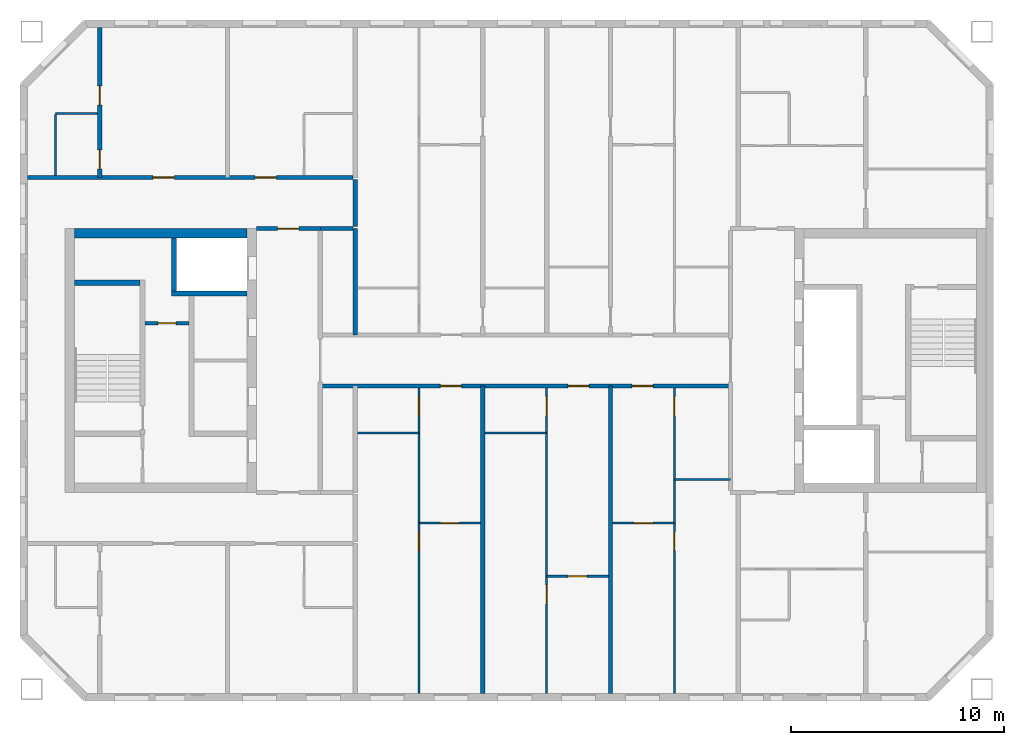
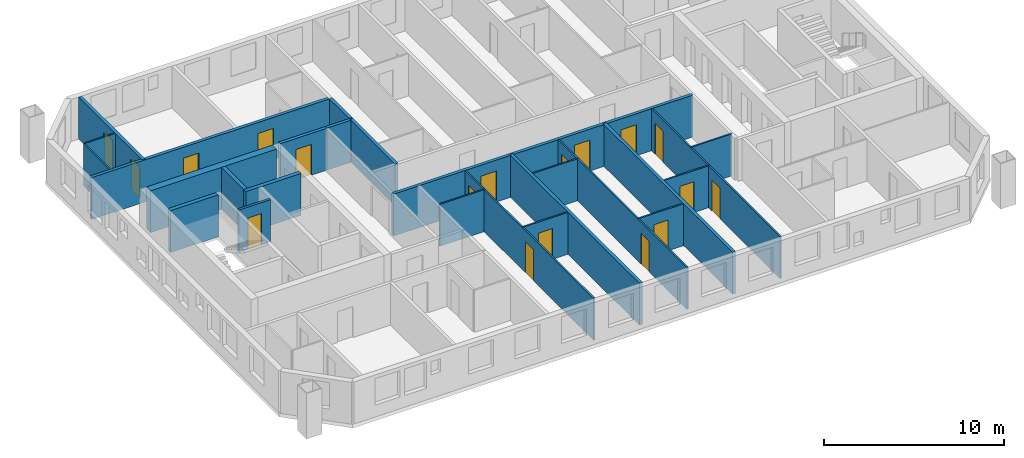
# One storey, part 4 of 16: 25 walls, 18 doors, 18 openings.
"""IFC4 building model written with IfcOpenShell, lengths in metres."""

from ifc_helpers import new_model, si_unit, direction, frame, frame_2d, origin, place, context, subcontext, project, spatial, rectangle, extrude, material, layer, layer_set, type_object, element, fill, save


model = new_model("IFC4")

# Units and contexts
model_context = context("Model", 3, precision=1e-05, world=origin(), true_north=direction((0.0, 1.0)))
body_context = subcontext(model_context, "Body", "Model", "MODEL_VIEW")
ifc_project = project(units=[si_unit("LENGTHUNIT", "METRE"), si_unit("AREAUNIT", "SQUARE_METRE"), si_unit("VOLUMEUNIT", "CUBIC_METRE"), si_unit("PLANEANGLEUNIT", "RADIAN"), si_unit("MASSUNIT", "GRAM", prefix="KILO")], contexts=[model_context])

# Site, building, storey
site_placement = place(None, origin())
site = spatial("IfcSite", under=ifc_project, at=site_placement, CompositionType="ELEMENT")
building_placement = place(site_placement, origin())
building = spatial("IfcBuilding", under=site, at=building_placement, Name="Tuart Gate Housing", CompositionType="ELEMENT")
storey_placement = place(building_placement, frame((0.0, 0.0, 178.89990234375)))
storey = spatial("IfcBuildingStorey", under=building, at=storey_placement, Name="L50", CompositionType="ELEMENT", Elevation=178.89990234375)

# Wall, opening, door
ifc_material_1 = material(Name="Plasterboard partition")
ifc_layer_1 = layer(ifc_material_1, 0.14990234375)
ifc_layer_set_1 = layer_set([ifc_layer_1], Name="Core partition 150")
wall_type_1 = type_object("IfcWallType", Name="Core partition 150", PredefinedType="PARTITIONING", material=ifc_layer_set_1)
wall_1_placement = place(storey_placement, frame((38.18505859375, 71.75, 0.0), z_axis=(0.0, 0.0, 1.0), x_axis=(-1.0, 0.0, 0.0)))
wall_1 = element("IfcWall", 1, at=wall_1_placement, inside=storey, type_object=wall_type_1, Name="Core partition AK.3", PredefinedType="PARTITIONING", context=body_context, shape_type="SweptSolid", body=[
    extrude(rectangle(XDim=2.050048828125, YDim=0.14990234375, at=frame_2d((1.02490234375, 0.0))), origin(), (0.0, 0.0, 1.0), 2.85009765625),
])
opening_1_placement = place(wall_1_placement, frame((0.60009765625, 0.0, 0.0)))
opening_1 = element("IfcOpeningElement", 2, at=opening_1_placement, cuts=wall_1, Name="Opening D1755", PredefinedType="OPENING", context=body_context, shape_type="SweptSolid", body=[
    extrude(rectangle(XDim=0.85009765625, YDim=2.10009765625, at=frame_2d((0.425048828125, 1.050048828125))), frame((0.0, 0.0849609375, 0.0), z_axis=(0.0, -1.0, 0.0), x_axis=(1.0, 0.0, 0.0)), (0.0, 0.0, 1.0), 0.169921875),
])
ifc_material_2 = material(Name="Steel fire door", Category="steel")
door_type_1 = type_object("IfcDoorType", Name="Riser door 850 x 2100 RH", OperationType="SINGLE_SWING_RIGHT", PredefinedType="DOOR", material=ifc_material_2)
door_1_placement = place(opening_1_placement, frame((0.85009765625, 0.0, 0.0), z_axis=(0.0, 0.0, 1.0), x_axis=(-1.0, 0.0, 0.0)))
door_1 = element("IfcDoor", 3, at=door_1_placement, inside=storey, type_object=door_type_1, Name="Service room door AK.E1", OperationType="SINGLE_SWING_RIGHT", OverallHeight=2.10009765625, OverallWidth=0.85009765625, PredefinedType="DOOR", context=body_context, shape_type="SweptSolid", body=[
    extrude(rectangle(XDim=0.85009765625, YDim=2.10009765625, at=frame_2d((0.425048828125, 1.050048828125))), frame((0.0, 0.025146484375, 0.0), z_axis=(0.0, -1.0, 0.0), x_axis=(1.0, 0.0, 0.0)), (0.0, 0.0, 1.0), 0.050048828125),
])
fill(opening_1, door_1)

# Walls
ifc_material_3 = material(Name="Concrete C40", Category="concrete")
ifc_layer_2 = layer(ifc_material_3, 0.25)
ifc_layer_set_2 = layer_set([ifc_layer_2], Name="Core wall 250 C40")
wall_type_2 = type_object("IfcWallType", Name="Core wall 250 C40", PredefinedType="SHEAR", material=ifc_layer_set_2)
wall_2_placement = place(storey_placement, frame((35.885009765625, 73.64990234375, 0.0), z_axis=(0.0, 0.0, 1.0), x_axis=(-1.0, 0.0, 0.0)))
element("IfcWall", 4, at=wall_2_placement, inside=storey, type_object=wall_type_2, Name="Core wall AK.1", PredefinedType="SHEAR", context=body_context, shape_type="SweptSolid", body=[
    extrude(rectangle(XDim=3.074951171875, YDim=0.25, at=frame_2d((1.53759765625, 0.0))), origin(), (0.0, 0.0, 1.0), 2.85009765625),
])
wall_3_placement = place(storey_placement, frame((40.909912109375, 73.14990234375, 0.0), z_axis=(0.0, 0.0, 1.0), x_axis=(-1.0, 0.0, 0.0)))
element("IfcWall", 5, at=wall_3_placement, inside=storey, type_object=wall_type_2, Name="Core wall AK.2", PredefinedType="SHEAR", context=body_context, shape_type="SweptSolid", body=[
    extrude(rectangle(XDim=3.544921875, YDim=0.25, at=frame_2d((1.7724609375, 0.0))), origin(), (0.0, 0.0, 1.0), 2.85009765625),
])
wall_4_placement = place(storey_placement, frame((37.489990234375, 75.75, 0.0), z_axis=(0.0, 0.0, 1.0), x_axis=(0.0, -1.0, 0.0)))
element("IfcWall", 6, at=wall_4_placement, inside=storey, type_object=wall_type_2, Name="Core wall AK.8", PredefinedType="SHEAR", context=body_context, shape_type="SweptSolid", body=[
    extrude(rectangle(XDim=2.47509765625, YDim=0.25, at=frame_2d((1.237548828125, 0.0))), origin(), (0.0, 0.0, 1.0), 2.85009765625),
])
ifc_material_4 = material(Name="Concrete C40", Category="concrete")
ifc_layer_3 = layer(ifc_material_4, 0.449951171875)
ifc_layer_set_3 = layer_set([ifc_layer_3], Name="Core wall 450 C40")
wall_type_3 = type_object("IfcWallType", Name="Core wall 450 C40", PredefinedType="SHEAR", material=ifc_layer_set_3)
wall_5_placement = place(storey_placement, frame((40.909912109375, 75.97509765625, 0.0), z_axis=(0.0, 0.0, 1.0), x_axis=(-1.0, 0.0, 0.0)))
element("IfcWall", 7, at=wall_5_placement, inside=storey, type_object=wall_type_3, Name="Core wall AK south", PredefinedType="SHEAR", context=body_context, shape_type="SweptSolid", body=[
    extrude(rectangle(XDim=8.099853515625, YDim=0.449951171875, at=frame_2d((4.0498046875, 0.0))), origin(), (0.0, 0.0, 1.0), 2.85009765625),
])

# Wall, openings, doors
ifc_material_5 = material(Name="Concrete masonry 15 MPa", Category="masonry")
ifc_layer_4 = layer(ifc_material_5, 0.199951171875)
ifc_layer_set_4 = layer_set([ifc_layer_4], Name="Corridor wall masonry 200")
wall_type_4 = type_object("IfcWallType", Name="Corridor wall masonry 200", PredefinedType="PARTITIONING", material=ifc_layer_set_4)
wall_6_placement = place(storey_placement, frame((44.360107421875, 68.800048828125, 0.0), z_axis=(0.0, 0.0, 1.0), x_axis=(1.0, 0.0, 0.0)))
wall_6 = element("IfcWall", 8, at=wall_6_placement, inside=storey, type_object=wall_type_4, Name="Corridor wall masonry 200", PredefinedType="PARTITIONING", context=body_context, shape_type="SweptSolid", body=[
    extrude(rectangle(XDim=19.27978515625, YDim=0.199951171875, at=frame_2d((9.639892578125, 0.0))), origin(), (0.0, 0.0, 1.0), 2.85009765625),
])
opening_2_placement = place(wall_6_placement, frame((14.639892578125, 0.0, 0.0)))
opening_2 = element("IfcOpeningElement", 9, at=opening_2_placement, cuts=wall_6, Name="Opening D1765", PredefinedType="OPENING", context=body_context, shape_type="SweptSolid", body=[
    extrude(rectangle(XDim=1.0, YDim=2.10009765625, at=frame_2d((0.5, 1.050048828125))), frame((0.0, 0.10986328125, 0.0), z_axis=(0.0, -1.0, 0.0), x_axis=(1.0, 0.0, 0.0)), (0.0, 0.0, 1.0), 0.219970703125),
])
opening_3_placement = place(wall_6_placement, frame((11.639892578125, 0.0, 0.0)))
opening_3 = element("IfcOpeningElement", 10, at=opening_3_placement, cuts=wall_6, Name="Opening D1766", PredefinedType="OPENING", context=body_context, shape_type="SweptSolid", body=[
    extrude(rectangle(XDim=1.0, YDim=2.10009765625, at=frame_2d((0.5, 1.050048828125))), frame((0.0, 0.10986328125, 0.0), z_axis=(0.0, -1.0, 0.0), x_axis=(1.0, 0.0, 0.0)), (0.0, 0.0, 1.0), 0.219970703125),
])
opening_4_placement = place(wall_6_placement, frame((5.639892578125, 0.0, 0.0)))
opening_4 = element("IfcOpeningElement", 11, at=opening_4_placement, cuts=wall_6, Name="Opening D1767", PredefinedType="OPENING", context=body_context, shape_type="SweptSolid", body=[
    extrude(rectangle(XDim=1.0, YDim=2.10009765625, at=frame_2d((0.5, 1.050048828125))), frame((0.0, 0.10986328125, 0.0), z_axis=(0.0, -1.0, 0.0), x_axis=(1.0, 0.0, 0.0)), (0.0, 0.0, 1.0), 0.219970703125),
])
ifc_material_6 = material(Name="Timber door leaf in steel frame", Category="steel")
door_type_2 = type_object("IfcDoorType", Name="Flat entrance door 1000 RH", OperationType="SINGLE_SWING_RIGHT", PredefinedType="DOOR", material=ifc_material_6)
door_2_placement = place(opening_2_placement, frame((1.0, 0.0, 0.0), z_axis=(0.0, 0.0, 1.0), x_axis=(-1.0, 0.0, 0.0)))
door_2 = element("IfcDoor", 12, at=door_2_placement, inside=storey, type_object=door_type_2, Name="Flat entrance door", OperationType="SINGLE_SWING_RIGHT", OverallHeight=2.10009765625, OverallWidth=1.0, PredefinedType="DOOR", context=body_context, shape_type="SweptSolid", body=[
    extrude(rectangle(XDim=1.0, YDim=2.10009765625, at=frame_2d((0.5, 1.050048828125))), frame((0.0, 0.025146484375, 0.0), z_axis=(0.0, -1.0, 0.0), x_axis=(1.0, 0.0, 0.0)), (0.0, 0.0, 1.0), 0.050048828125),
])
fill(opening_2, door_2)
door_3_placement = place(opening_3_placement, frame((1.0, 0.0, 0.0), z_axis=(0.0, 0.0, 1.0), x_axis=(-1.0, 0.0, 0.0)))
door_3 = element("IfcDoor", 13, at=door_3_placement, inside=storey, type_object=door_type_2, Name="Flat entrance door", OperationType="SINGLE_SWING_RIGHT", OverallHeight=2.10009765625, OverallWidth=1.0, PredefinedType="DOOR", context=body_context, shape_type="SweptSolid", body=[
    extrude(rectangle(XDim=1.0, YDim=2.10009765625, at=frame_2d((0.5, 1.050048828125))), frame((0.0, 0.025146484375, 0.0), z_axis=(0.0, -1.0, 0.0), x_axis=(1.0, 0.0, 0.0)), (0.0, 0.0, 1.0), 0.050048828125),
])
fill(opening_3, door_3)
door_4_placement = place(opening_4_placement, frame((1.0, 0.0, 0.0), z_axis=(0.0, 0.0, 1.0), x_axis=(-1.0, 0.0, 0.0)))
door_4 = element("IfcDoor", 14, at=door_4_placement, inside=storey, type_object=door_type_2, Name="Flat entrance door", OperationType="SINGLE_SWING_RIGHT", OverallHeight=2.10009765625, OverallWidth=1.0, PredefinedType="DOOR", context=body_context, shape_type="SweptSolid", body=[
    extrude(rectangle(XDim=1.0, YDim=2.10009765625, at=frame_2d((0.5, 1.050048828125))), frame((0.0, 0.025146484375, 0.0), z_axis=(0.0, -1.0, 0.0), x_axis=(1.0, 0.0, 0.0)), (0.0, 0.0, 1.0), 0.050048828125),
])
fill(opening_4, door_4)

# Wall
wall_7_placement = place(storey_placement, frame((44.360107421875, 76.199951171875, 0.0), z_axis=(0.0, 0.0, 1.0), x_axis=(1.0, 0.0, 0.0)))
element("IfcWall", 15, at=wall_7_placement, inside=storey, type_object=wall_type_4, Name="Corridor wall masonry 200", PredefinedType="PARTITIONING", context=body_context, shape_type="SweptSolid", body=[
    extrude(rectangle(XDim=1.539794921875, YDim=0.199951171875, at=frame_2d((0.77001953125, 0.0))), origin(), (0.0, 0.0, 1.0), 2.85009765625),
])

# Wall, openings, doors
wall_8_placement = place(storey_placement, frame((30.610107421875, 78.60009765625, 0.0), z_axis=(0.0, 0.0, 1.0), x_axis=(1.0, 0.0, 0.0)))
wall_8 = element("IfcWall", 16, at=wall_8_placement, inside=storey, type_object=wall_type_4, Name="Corridor wall masonry 200", PredefinedType="PARTITIONING", context=body_context, shape_type="SweptSolid", body=[
    extrude(rectangle(XDim=15.289794921875, YDim=0.199951171875, at=frame_2d((7.64501953125, 0.0))), origin(), (0.0, 0.0, 1.0), 2.85009765625),
])
opening_5_placement = place(wall_8_placement, frame((10.68994140625, 0.0, 0.0)))
opening_5 = element("IfcOpeningElement", 17, at=opening_5_placement, cuts=wall_8, Name="Opening D1742", PredefinedType="OPENING", context=body_context, shape_type="SweptSolid", body=[
    extrude(rectangle(XDim=1.0, YDim=2.10009765625, at=frame_2d((0.5, 1.050048828125))), frame((0.0, 0.10986328125, 0.0), z_axis=(0.0, -1.0, 0.0), x_axis=(1.0, 0.0, 0.0)), (0.0, 0.0, 1.0), 0.219970703125),
])
opening_6_placement = place(wall_8_placement, frame((5.889892578125, 0.0, 0.0)))
opening_6 = element("IfcOpeningElement", 18, at=opening_6_placement, cuts=wall_8, Name="Opening D1743", PredefinedType="OPENING", context=body_context, shape_type="SweptSolid", body=[
    extrude(rectangle(XDim=1.0, YDim=2.10009765625, at=frame_2d((0.5, 1.050048828125))), frame((0.0, 0.10986328125, 0.0), z_axis=(0.0, -1.0, 0.0), x_axis=(1.0, 0.0, 0.0)), (0.0, 0.0, 1.0), 0.219970703125),
])
ifc_material_7 = material(Name="Timber door leaf in steel frame", Category="steel")
door_type_3 = type_object("IfcDoorType", Name="Flat entrance door 1000", OperationType="SINGLE_SWING_LEFT", PredefinedType="DOOR", material=ifc_material_7)
door_5_placement = place(opening_5_placement, origin())
door_5 = element("IfcDoor", 19, at=door_5_placement, inside=storey, type_object=door_type_3, Name="Flat entrance door", OperationType="SINGLE_SWING_LEFT", OverallHeight=2.10009765625, OverallWidth=1.0, PredefinedType="DOOR", context=body_context, shape_type="SweptSolid", body=[
    extrude(rectangle(XDim=1.0, YDim=2.10009765625, at=frame_2d((0.5, 1.050048828125))), frame((0.0, 0.02490234375, 0.0), z_axis=(0.0, -1.0, 0.0), x_axis=(1.0, 0.0, 0.0)), (0.0, 0.0, 1.0), 0.050048828125),
])
fill(opening_5, door_5)
door_6_placement = place(opening_6_placement, origin())
door_6 = element("IfcDoor", 20, at=door_6_placement, inside=storey, type_object=door_type_3, Name="Flat entrance door", OperationType="SINGLE_SWING_LEFT", OverallHeight=2.10009765625, OverallWidth=1.0, PredefinedType="DOOR", context=body_context, shape_type="SweptSolid", body=[
    extrude(rectangle(XDim=1.0, YDim=2.10009765625, at=frame_2d((0.5, 1.050048828125))), frame((0.0, 0.02490234375, 0.0), z_axis=(0.0, -1.0, 0.0), x_axis=(1.0, 0.0, 0.0)), (0.0, 0.0, 1.0), 0.050048828125),
])
fill(opening_6, door_6)

# Wall
wall_9_placement = place(storey_placement, frame((46.0, 76.300048828125, 0.0), z_axis=(0.0, 0.0, 1.0), x_axis=(0.0, 1.0, 0.0)))
element("IfcWall", 21, at=wall_9_placement, inside=storey, type_object=wall_type_4, Name="Corridor wall masonry 200", PredefinedType="PARTITIONING", context=body_context, shape_type="SweptSolid", body=[
    extrude(rectangle(XDim=2.199951171875, YDim=0.199951171875, at=frame_2d((1.10009765625, 0.0))), origin(), (0.0, 0.0, 1.0), 2.85009765625),
])

# Wall, opening, door
ifc_material_8 = material(Name="Concrete masonry 15 MPa", Category="masonry")
ifc_layer_5 = layer(ifc_material_8, 0.199951171875)
ifc_layer_set_5 = layer_set([ifc_layer_5], Name="Enclosure wall masonry 200")
wall_type_5 = type_object("IfcWallType", Name="Enclosure wall masonry 200", PredefinedType="PARTITIONING", material=ifc_layer_set_5)
wall_10_placement = place(storey_placement, frame((41.360107421875, 76.199951171875, 0.0), z_axis=(0.0, 0.0, 1.0), x_axis=(1.0, 0.0, 0.0)))
wall_10 = element("IfcWall", 22, at=wall_10_placement, inside=storey, type_object=wall_type_5, Name="Enclosure wall masonry 200", PredefinedType="PARTITIONING", context=body_context, shape_type="SweptSolid", body=[
    extrude(rectangle(XDim=3.0, YDim=0.199951171875, at=frame_2d((1.5, 0.0))), origin(), (0.0, 0.0, 1.0), 2.85009765625),
])
opening_7_placement = place(wall_10_placement, frame((1.0, 0.0, 0.0)))
opening_7 = element("IfcOpeningElement", 23, at=opening_7_placement, cuts=wall_10, Name="Opening D1752", PredefinedType="OPENING", context=body_context, shape_type="SweptSolid", body=[
    extrude(rectangle(XDim=1.0, YDim=2.10009765625, at=frame_2d((0.5, 1.050048828125))), frame((0.0, 0.10986328125, 0.0), z_axis=(0.0, -1.0, 0.0), x_axis=(1.0, 0.0, 0.0)), (0.0, 0.0, 1.0), 0.219970703125),
])
ifc_material_9 = material(Name="Timber door leaf in steel frame", Category="steel")
door_type_4 = type_object("IfcDoorType", Name="Fire door 1000 RH", OperationType="SINGLE_SWING_RIGHT", PredefinedType="DOOR", material=ifc_material_9)
door_7_placement = place(opening_7_placement, origin())
door_7 = element("IfcDoor", 24, at=door_7_placement, inside=storey, type_object=door_type_4, Name="Fire door", OperationType="SINGLE_SWING_RIGHT", OverallHeight=2.10009765625, OverallWidth=1.0, PredefinedType="DOOR", context=body_context, shape_type="SweptSolid", body=[
    extrude(rectangle(XDim=1.0, YDim=2.10009765625, at=frame_2d((0.5, 1.050048828125))), frame((0.0, 0.02490234375, 0.0), z_axis=(0.0, -1.0, 0.0), x_axis=(1.0, 0.0, 0.0)), (0.0, 0.0, 1.0), 0.050048828125),
])
fill(opening_7, door_7)

ifc_material_10 = material(Name="Gypsum board on steel studs", Category="steel")
ifc_layer_6 = layer(ifc_material_10, 0.10009765625)
ifc_layer_set_6 = layer_set([ifc_layer_6], Name="Partition 100")
wall_type_6 = type_object("IfcWallType", Name="Partition 100", PredefinedType="PARTITIONING", material=ifc_layer_set_6)
wall_11_placement = place(storey_placement, frame((55.0, 59.860107421875, 0.0), z_axis=(0.0, 0.0, 1.0), x_axis=(1.0, 0.0, 0.0)))
wall_11 = element("IfcWall", 25, at=wall_11_placement, inside=storey, type_object=wall_type_6, Name="Partition 100", PredefinedType="PARTITIONING", context=body_context, shape_type="SweptSolid", body=[
    extrude(rectangle(XDim=2.89990234375, YDim=0.10009765625, at=frame_2d((1.449951171875, 0.0))), origin(), (0.0, 0.0, 1.0), 2.85009765625),
])
opening_8_placement = place(wall_11_placement, frame((1.0, 0.0, 0.0)))
opening_8 = element("IfcOpeningElement", 26, at=opening_8_placement, cuts=wall_11, Name="Opening D1786", PredefinedType="OPENING", context=body_context, shape_type="SweptSolid", body=[
    extrude(rectangle(XDim=0.89990234375, YDim=2.10009765625, at=frame_2d((0.449951171875, 1.050048828125))), frame((0.0, 0.06005859375, 0.0), z_axis=(0.0, -1.0, 0.0), x_axis=(1.0, 0.0, 0.0)), (0.0, 0.0, 1.0), 0.1201171875),
])
ifc_material_11 = material(Name="Timber door leaf in steel frame", Category="steel")
door_type_5 = type_object("IfcDoorType", Name="Internal door 900", OperationType="SINGLE_SWING_LEFT", PredefinedType="DOOR", material=ifc_material_11)
door_8_placement = place(opening_8_placement, origin())
door_8 = element("IfcDoor", 27, at=door_8_placement, inside=storey, type_object=door_type_5, Name="Internal door", OperationType="SINGLE_SWING_LEFT", OverallHeight=2.10009765625, OverallWidth=0.89990234375, PredefinedType="DOOR", context=body_context, shape_type="SweptSolid", body=[
    extrude(rectangle(XDim=0.89990234375, YDim=2.10009765625, at=frame_2d((0.449951171875, 1.050048828125))), frame((0.0, 0.02490234375, 0.0), z_axis=(0.0, -1.0, 0.0), x_axis=(1.0, 0.0, 0.0)), (0.0, 0.0, 1.0), 0.050048828125),
])
fill(opening_8, door_8)

wall_12_placement = place(storey_placement, frame((49.0, 62.360107421875, 0.0), z_axis=(0.0, 0.0, 1.0), x_axis=(1.0, 0.0, 0.0)))
wall_12 = element("IfcWall", 28, at=wall_12_placement, inside=storey, type_object=wall_type_6, Name="Partition 100", PredefinedType="PARTITIONING", context=body_context, shape_type="SweptSolid", body=[
    extrude(rectangle(XDim=2.89990234375, YDim=0.10009765625, at=frame_2d((1.449951171875, 0.0))), origin(), (0.0, 0.0, 1.0), 2.85009765625),
])
opening_9_placement = place(wall_12_placement, frame((1.0, 0.0, 0.0)))
opening_9 = element("IfcOpeningElement", 29, at=opening_9_placement, cuts=wall_12, Name="Opening D1773", PredefinedType="OPENING", context=body_context, shape_type="SweptSolid", body=[
    extrude(rectangle(XDim=0.89990234375, YDim=2.10009765625, at=frame_2d((0.449951171875, 1.050048828125))), frame((0.0, 0.06005859375, 0.0), z_axis=(0.0, -1.0, 0.0), x_axis=(1.0, 0.0, 0.0)), (0.0, 0.0, 1.0), 0.1201171875),
])
door_9_placement = place(opening_9_placement, origin())
door_9 = element("IfcDoor", 30, at=door_9_placement, inside=storey, type_object=door_type_5, Name="Internal door", OperationType="SINGLE_SWING_LEFT", OverallHeight=2.10009765625, OverallWidth=0.89990234375, PredefinedType="DOOR", context=body_context, shape_type="SweptSolid", body=[
    extrude(rectangle(XDim=0.89990234375, YDim=2.10009765625, at=frame_2d((0.449951171875, 1.050048828125))), frame((0.0, 0.02490234375, 0.0), z_axis=(0.0, -1.0, 0.0), x_axis=(1.0, 0.0, 0.0)), (0.0, 0.0, 1.0), 0.050048828125),
])
fill(opening_9, door_9)

wall_13_placement = place(storey_placement, frame((58.10009765625, 62.360107421875, 0.0), z_axis=(0.0, 0.0, 1.0), x_axis=(1.0, 0.0, 0.0)))
wall_13 = element("IfcWall", 31, at=wall_13_placement, inside=storey, type_object=wall_type_6, Name="Partition 100", PredefinedType="PARTITIONING", context=body_context, shape_type="SweptSolid", body=[
    extrude(rectangle(XDim=2.89990234375, YDim=0.10009765625, at=frame_2d((1.449951171875, 0.0))), origin(), (0.0, 0.0, 1.0), 2.85009765625),
])
opening_10_placement = place(wall_13_placement, frame((1.0, 0.0, 0.0)))
opening_10 = element("IfcOpeningElement", 32, at=opening_10_placement, cuts=wall_13, Name="Opening D1774", PredefinedType="OPENING", context=body_context, shape_type="SweptSolid", body=[
    extrude(rectangle(XDim=0.89990234375, YDim=2.10009765625, at=frame_2d((0.449951171875, 1.050048828125))), frame((0.0, 0.06005859375, 0.0), z_axis=(0.0, -1.0, 0.0), x_axis=(1.0, 0.0, 0.0)), (0.0, 0.0, 1.0), 0.1201171875),
])
ifc_material_12 = material(Name="Timber door leaf in steel frame", Category="steel")
door_type_6 = type_object("IfcDoorType", Name="Internal door 900 RH", OperationType="SINGLE_SWING_RIGHT", PredefinedType="DOOR", material=ifc_material_12)
door_10_placement = place(opening_10_placement, origin())
door_10 = element("IfcDoor", 33, at=door_10_placement, inside=storey, type_object=door_type_6, Name="Internal door", OperationType="SINGLE_SWING_RIGHT", OverallHeight=2.10009765625, OverallWidth=0.89990234375, PredefinedType="DOOR", context=body_context, shape_type="SweptSolid", body=[
    extrude(rectangle(XDim=0.89990234375, YDim=2.10009765625, at=frame_2d((0.449951171875, 1.050048828125))), frame((0.0, 0.02490234375, 0.0), z_axis=(0.0, -1.0, 0.0), x_axis=(1.0, 0.0, 0.0)), (0.0, 0.0, 1.0), 0.050048828125),
])
fill(opening_10, door_10)

# Walls
wall_14_placement = place(storey_placement, frame((61.0, 64.39990234375, 0.0), z_axis=(0.0, 0.0, 1.0), x_axis=(1.0, 0.0, 0.0)))
element("IfcWall", 34, at=wall_14_placement, inside=storey, type_object=wall_type_6, Name="Partition 100", PredefinedType="PARTITIONING", context=body_context, shape_type="SweptSolid", body=[
    extrude(rectangle(XDim=2.639892578125, YDim=0.10009765625, at=frame_2d((1.31982421875, 0.0))), origin(), (0.0, 0.0, 1.0), 2.85009765625),
])
for number, where, z_axis, x_axis, name in (
    (35, (46.10009765625, 66.60009765625, 0.0), (0.0, 0.0, 1.0), (1.0, 0.0, 0.0), "Partition 100"),
    (36, (52.10009765625, 66.60009765625, 0.0), (0.0, 0.0, 1.0), (1.0, 0.0, 0.0), "Partition 100"),
):
    element("IfcWall", number, at=place(storey_placement, frame(where, z_axis=z_axis, x_axis=x_axis)), inside=storey, type_object=wall_type_6, Name=name, PredefinedType="PARTITIONING", context=body_context, shape_type="SweptSolid", body=[
        extrude(rectangle(XDim=2.89990234375, YDim=0.10009765625, at=frame_2d((1.449951171875, 0.0))), origin(), (0.0, 0.0, 1.0), 2.85009765625),
    ])
wall_15_placement = place(storey_placement, frame((31.909912109375, 81.60009765625, 0.0), z_axis=(0.0, 0.0, 1.0), x_axis=(1.0, 0.0, 0.0)))
element("IfcWall", 37, at=wall_15_placement, inside=storey, type_object=wall_type_6, Name="Partition 100", PredefinedType="PARTITIONING", context=body_context, shape_type="SweptSolid", body=[
    extrude(rectangle(XDim=1.989990234375, YDim=0.10009765625, at=frame_2d((0.9951171875, 0.0))), origin(), (0.0, 0.0, 1.0), 2.85009765625),
])
wall_16_placement = place(storey_placement, frame((31.909912109375, 78.699951171875, 0.0), z_axis=(0.0, 0.0, 1.0), x_axis=(0.0, 1.0, 0.0)))
element("IfcWall", 38, at=wall_16_placement, inside=storey, type_object=wall_type_6, Name="Partition 100", PredefinedType="PARTITIONING", context=body_context, shape_type="SweptSolid", body=[
    extrude(rectangle(XDim=2.85009765625, YDim=0.10009765625, at=frame_2d((1.425048828125, 0.0))), origin(), (0.0, 0.0, 1.0), 2.85009765625),
])

# Wall, openings, doors
wall_17_placement = place(storey_placement, frame((49.0, 54.360107421875, 0.0), z_axis=(0.0, 0.0, 1.0), x_axis=(0.0, 1.0, 0.0)))
wall_17 = element("IfcWall", 39, at=wall_17_placement, inside=storey, type_object=wall_type_6, Name="Partition 100", PredefinedType="PARTITIONING", context=body_context, shape_type="SweptSolid", body=[
    extrude(rectangle(XDim=14.33984375, YDim=0.10009765625, at=frame_2d((7.169921875, 0.0))), origin(), (0.0, 0.0, 1.0), 2.85009765625),
])
opening_11_placement = place(wall_17_placement, frame((6.699951171875, 0.0, 0.0)))
opening_11 = element("IfcOpeningElement", 40, at=opening_11_placement, cuts=wall_17, Name="Opening D1776", PredefinedType="OPENING", context=body_context, shape_type="SweptSolid", body=[
    extrude(rectangle(XDim=0.89990234375, YDim=2.10009765625, at=frame_2d((0.449951171875, 1.050048828125))), frame((0.0, 0.06005859375, 0.0), z_axis=(0.0, -1.0, 0.0), x_axis=(1.0, 0.0, 0.0)), (0.0, 0.0, 1.0), 0.1201171875),
])
opening_12_placement = place(wall_17_placement, frame((13.0400390625, 0.0, 0.0)))
opening_12 = element("IfcOpeningElement", 41, at=opening_12_placement, cuts=wall_17, Name="Opening D1775", PredefinedType="OPENING", context=body_context, shape_type="SweptSolid", body=[
    extrude(rectangle(XDim=0.89990234375, YDim=2.10009765625, at=frame_2d((0.449951171875, 1.050048828125))), frame((0.0, 0.06005859375, 0.0), z_axis=(0.0, -1.0, 0.0), x_axis=(1.0, 0.0, 0.0)), (0.0, 0.0, 1.0), 0.1201171875),
])
ifc_material_13 = material(Name="Timber door leaf in steel frame", Category="steel")
door_type_7 = type_object("IfcDoorType", Name="Bathroom door 900 RH", OperationType="SINGLE_SWING_RIGHT", PredefinedType="DOOR", material=ifc_material_13)
door_11_placement = place(opening_12_placement, origin())
door_11 = element("IfcDoor", 42, at=door_11_placement, inside=storey, type_object=door_type_7, Name="Bathroom door", OperationType="SINGLE_SWING_RIGHT", OverallHeight=2.10009765625, OverallWidth=0.89990234375, PredefinedType="DOOR", context=body_context, shape_type="SweptSolid", body=[
    extrude(rectangle(XDim=0.89990234375, YDim=2.10009765625, at=frame_2d((0.449951171875, 1.050048828125))), frame((0.0, 0.02490234375, 0.0), z_axis=(0.0, -1.0, 0.0), x_axis=(1.0, 0.0, 0.0)), (0.0, 0.0, 1.0), 0.050048828125),
])
fill(opening_12, door_11)
door_12_placement = place(opening_11_placement, origin())
door_12 = element("IfcDoor", 43, at=door_12_placement, inside=storey, type_object=door_type_6, Name="Internal door", OperationType="SINGLE_SWING_RIGHT", OverallHeight=2.10009765625, OverallWidth=0.89990234375, PredefinedType="DOOR", context=body_context, shape_type="SweptSolid", body=[
    extrude(rectangle(XDim=0.89990234375, YDim=2.10009765625, at=frame_2d((0.449951171875, 1.050048828125))), frame((0.0, 0.02490234375, 0.0), z_axis=(0.0, -1.0, 0.0), x_axis=(1.0, 0.0, 0.0)), (0.0, 0.0, 1.0), 0.050048828125),
])
fill(opening_11, door_12)

wall_18_placement = place(storey_placement, frame((55.0, 54.360107421875, 0.0), z_axis=(0.0, 0.0, 1.0), x_axis=(0.0, 1.0, 0.0)))
wall_18 = element("IfcWall", 44, at=wall_18_placement, inside=storey, type_object=wall_type_6, Name="Partition 100", PredefinedType="PARTITIONING", context=body_context, shape_type="SweptSolid", body=[
    extrude(rectangle(XDim=14.33984375, YDim=0.10009765625, at=frame_2d((7.169921875, 0.0))), origin(), (0.0, 0.0, 1.0), 2.85009765625),
])
opening_13_placement = place(wall_18_placement, frame((4.199951171875, 0.0, 0.0)))
opening_13 = element("IfcOpeningElement", 45, at=opening_13_placement, cuts=wall_18, Name="Opening D1778", PredefinedType="OPENING", context=body_context, shape_type="SweptSolid", body=[
    extrude(rectangle(XDim=0.89990234375, YDim=2.10009765625, at=frame_2d((0.449951171875, 1.050048828125))), frame((0.0, 0.06005859375, 0.0), z_axis=(0.0, -1.0, 0.0), x_axis=(1.0, 0.0, 0.0)), (0.0, 0.0, 1.0), 0.1201171875),
])
opening_14_placement = place(wall_18_placement, frame((13.0400390625, 0.0, 0.0)))
opening_14 = element("IfcOpeningElement", 46, at=opening_14_placement, cuts=wall_18, Name="Opening D1777", PredefinedType="OPENING", context=body_context, shape_type="SweptSolid", body=[
    extrude(rectangle(XDim=0.89990234375, YDim=2.10009765625, at=frame_2d((0.449951171875, 1.050048828125))), frame((0.0, 0.06005859375, 0.0), z_axis=(0.0, -1.0, 0.0), x_axis=(1.0, 0.0, 0.0)), (0.0, 0.0, 1.0), 0.1201171875),
])
door_13_placement = place(opening_14_placement, origin())
door_13 = element("IfcDoor", 47, at=door_13_placement, inside=storey, type_object=door_type_7, Name="Bathroom door", OperationType="SINGLE_SWING_RIGHT", OverallHeight=2.10009765625, OverallWidth=0.89990234375, PredefinedType="DOOR", context=body_context, shape_type="SweptSolid", body=[
    extrude(rectangle(XDim=0.89990234375, YDim=2.10009765625, at=frame_2d((0.449951171875, 1.050048828125))), frame((0.0, 0.02490234375, 0.0), z_axis=(0.0, -1.0, 0.0), x_axis=(1.0, 0.0, 0.0)), (0.0, 0.0, 1.0), 0.050048828125),
])
fill(opening_14, door_13)
door_14_placement = place(opening_13_placement, origin())
door_14 = element("IfcDoor", 48, at=door_14_placement, inside=storey, type_object=door_type_5, Name="Internal door", OperationType="SINGLE_SWING_LEFT", OverallHeight=2.10009765625, OverallWidth=0.89990234375, PredefinedType="DOOR", context=body_context, shape_type="SweptSolid", body=[
    extrude(rectangle(XDim=0.89990234375, YDim=2.10009765625, at=frame_2d((0.449951171875, 1.050048828125))), frame((0.0, 0.02490234375, 0.0), z_axis=(0.0, -1.0, 0.0), x_axis=(1.0, 0.0, 0.0)), (0.0, 0.0, 1.0), 0.050048828125),
])
fill(opening_13, door_14)

wall_19_placement = place(storey_placement, frame((61.0, 54.360107421875, 0.0), z_axis=(0.0, 0.0, 1.0), x_axis=(0.0, 1.0, 0.0)))
wall_19 = element("IfcWall", 49, at=wall_19_placement, inside=storey, type_object=wall_type_6, Name="Partition 100", PredefinedType="PARTITIONING", context=body_context, shape_type="SweptSolid", body=[
    extrude(rectangle(XDim=14.33984375, YDim=0.10009765625, at=frame_2d((7.169921875, 0.0))), origin(), (0.0, 0.0, 1.0), 2.85009765625),
])
opening_15_placement = place(wall_19_placement, frame((6.699951171875, 0.0, 0.0)))
opening_15 = element("IfcOpeningElement", 50, at=opening_15_placement, cuts=wall_19, Name="Opening D1780", PredefinedType="OPENING", context=body_context, shape_type="SweptSolid", body=[
    extrude(rectangle(XDim=0.89990234375, YDim=2.10009765625, at=frame_2d((0.449951171875, 1.050048828125))), frame((0.0, 0.06005859375, 0.0), z_axis=(0.0, -1.0, 0.0), x_axis=(1.0, 0.0, 0.0)), (0.0, 0.0, 1.0), 0.1201171875),
])
opening_16_placement = place(wall_19_placement, frame((13.0400390625, 0.0, 0.0)))
opening_16 = element("IfcOpeningElement", 51, at=opening_16_placement, cuts=wall_19, Name="Opening D1779", PredefinedType="OPENING", context=body_context, shape_type="SweptSolid", body=[
    extrude(rectangle(XDim=0.89990234375, YDim=2.10009765625, at=frame_2d((0.449951171875, 1.050048828125))), frame((0.0, 0.06005859375, 0.0), z_axis=(0.0, -1.0, 0.0), x_axis=(1.0, 0.0, 0.0)), (0.0, 0.0, 1.0), 0.1201171875),
])
ifc_material_14 = material(Name="Timber door leaf in steel frame", Category="steel")
door_type_8 = type_object("IfcDoorType", Name="Bathroom door 900", OperationType="SINGLE_SWING_LEFT", PredefinedType="DOOR", material=ifc_material_14)
door_15_placement = place(opening_16_placement, frame((0.89990234375, 0.0, 0.0), z_axis=(0.0, 0.0, 1.0), x_axis=(-1.0, 0.0, 0.0)))
door_15 = element("IfcDoor", 52, at=door_15_placement, inside=storey, type_object=door_type_8, Name="Bathroom door", OperationType="SINGLE_SWING_LEFT", OverallHeight=2.10009765625, OverallWidth=0.89990234375, PredefinedType="DOOR", context=body_context, shape_type="SweptSolid", body=[
    extrude(rectangle(XDim=0.89990234375, YDim=2.10009765625, at=frame_2d((0.449951171875, 1.050048828125))), frame((0.0, 0.025146484375, 0.0), z_axis=(0.0, -1.0, 0.0), x_axis=(1.0, 0.0, 0.0)), (0.0, 0.0, 1.0), 0.050048828125),
])
fill(opening_16, door_15)
door_16_placement = place(opening_15_placement, frame((0.89990234375, 0.0, 0.0), z_axis=(0.0, 0.0, 1.0), x_axis=(-1.0, 0.0, 0.0)))
door_16 = element("IfcDoor", 53, at=door_16_placement, inside=storey, type_object=door_type_5, Name="Internal door", OperationType="SINGLE_SWING_LEFT", OverallHeight=2.10009765625, OverallWidth=0.89990234375, PredefinedType="DOOR", context=body_context, shape_type="SweptSolid", body=[
    extrude(rectangle(XDim=0.89990234375, YDim=2.10009765625, at=frame_2d((0.449951171875, 1.050048828125))), frame((0.0, 0.025146484375, 0.0), z_axis=(0.0, -1.0, 0.0), x_axis=(1.0, 0.0, 0.0)), (0.0, 0.0, 1.0), 0.050048828125),
])
fill(opening_15, door_16)

ifc_material_15 = material(Name="Concrete C40", Category="concrete")
ifc_layer_7 = layer(ifc_material_15, 0.199951171875)
ifc_layer_set_7 = layer_set([ifc_layer_7], Name="Party wall concrete C40 200")
wall_type_7 = type_object("IfcWallType", Name="Party wall concrete C40 200", PredefinedType="SOLIDWALL", material=ifc_layer_set_7)
wall_20_placement = place(storey_placement, frame((34.0, 78.60009765625, 0.0), z_axis=(0.0, 0.0, 1.0), x_axis=(0.0, 1.0, 0.0)))
wall_20 = element("IfcWall", 54, at=wall_20_placement, inside=storey, type_object=wall_type_7, Name="Party wall concrete C40 200", PredefinedType="SOLIDWALL", context=body_context, shape_type="SweptSolid", body=[
    extrude(rectangle(XDim=7.039794921875, YDim=0.199951171875, at=frame_2d((3.52001953125, 0.0))), origin(), (0.0, 0.0, 1.0), 2.85009765625),
])
opening_17_placement = place(wall_20_placement, frame((3.39990234375, 0.0, 0.0)))
opening_17 = element("IfcOpeningElement", 55, at=opening_17_placement, cuts=wall_20, Name="Opening D1734", PredefinedType="OPENING", context=body_context, shape_type="SweptSolid", body=[
    extrude(rectangle(XDim=0.89990234375, YDim=2.10009765625, at=frame_2d((0.449951171875, 1.050048828125))), frame((0.0, 0.10986328125, 0.0), z_axis=(0.0, -1.0, 0.0), x_axis=(1.0, 0.0, 0.0)), (0.0, 0.0, 1.0), 0.219970703125),
])
opening_18_placement = place(wall_20_placement, frame((0.39990234375, 0.0, 0.0)))
opening_18 = element("IfcOpeningElement", 56, at=opening_18_placement, cuts=wall_20, Name="Opening D1733", PredefinedType="OPENING", context=body_context, shape_type="SweptSolid", body=[
    extrude(rectangle(XDim=0.89990234375, YDim=2.10009765625, at=frame_2d((0.449951171875, 1.050048828125))), frame((0.0, 0.10986328125, 0.0), z_axis=(0.0, -1.0, 0.0), x_axis=(1.0, 0.0, 0.0)), (0.0, 0.0, 1.0), 0.219970703125),
])
door_17_placement = place(opening_18_placement, origin())
door_17 = element("IfcDoor", 57, at=door_17_placement, inside=storey, type_object=door_type_8, Name="Bathroom door", OperationType="SINGLE_SWING_LEFT", OverallHeight=2.10009765625, OverallWidth=0.89990234375, PredefinedType="DOOR", context=body_context, shape_type="SweptSolid", body=[
    extrude(rectangle(XDim=0.89990234375, YDim=2.10009765625, at=frame_2d((0.449951171875, 1.050048828125))), frame((0.0, 0.02490234375, 0.0), z_axis=(0.0, -1.0, 0.0), x_axis=(1.0, 0.0, 0.0)), (0.0, 0.0, 1.0), 0.050048828125),
])
fill(opening_18, door_17)
door_18_placement = place(opening_17_placement, origin())
door_18 = element("IfcDoor", 58, at=door_18_placement, inside=storey, type_object=door_type_5, Name="Internal door", OperationType="SINGLE_SWING_LEFT", OverallHeight=2.10009765625, OverallWidth=0.89990234375, PredefinedType="DOOR", context=body_context, shape_type="SweptSolid", body=[
    extrude(rectangle(XDim=0.89990234375, YDim=2.10009765625, at=frame_2d((0.449951171875, 1.050048828125))), frame((0.0, 0.02490234375, 0.0), z_axis=(0.0, -1.0, 0.0), x_axis=(1.0, 0.0, 0.0)), (0.0, 0.0, 1.0), 0.050048828125),
])
fill(opening_17, door_18)

# Walls
wall_21_placement = place(storey_placement, frame((46.0, 71.199951171875, 0.0), z_axis=(0.0, 0.0, 1.0), x_axis=(0.0, 1.0, 0.0)))
element("IfcWall", 59, at=wall_21_placement, inside=storey, type_object=wall_type_7, Name="Party wall concrete C40 200", PredefinedType="SOLIDWALL", context=body_context, shape_type="SweptSolid", body=[
    extrude(rectangle(XDim=5.0, YDim=0.199951171875, at=frame_2d((2.5, 0.0))), origin(), (0.0, 0.0, 1.0), 2.85009765625),
])
for number, where, z_axis, x_axis, name in (
    (60, (52.0, 54.360107421875, 0.0), (0.0, 0.0, 1.0), (0.0, 1.0, 0.0), "Party wall concrete C40 200"),
    (61, (58.0, 54.360107421875, 0.0), (0.0, 0.0, 1.0), (0.0, 1.0, 0.0), "Party wall concrete C40 200"),
):
    element("IfcWall", number, at=place(storey_placement, frame(where, z_axis=z_axis, x_axis=x_axis)), inside=storey, type_object=wall_type_7, Name=name, PredefinedType="SOLIDWALL", context=body_context, shape_type="SweptSolid", body=[
        extrude(rectangle(XDim=14.43994140625, YDim=0.199951171875, at=frame_2d((7.219970703125, 0.0))), origin(), (0.0, 0.0, 1.0), 2.85009765625),
    ])

save(model, "model.ifc")
